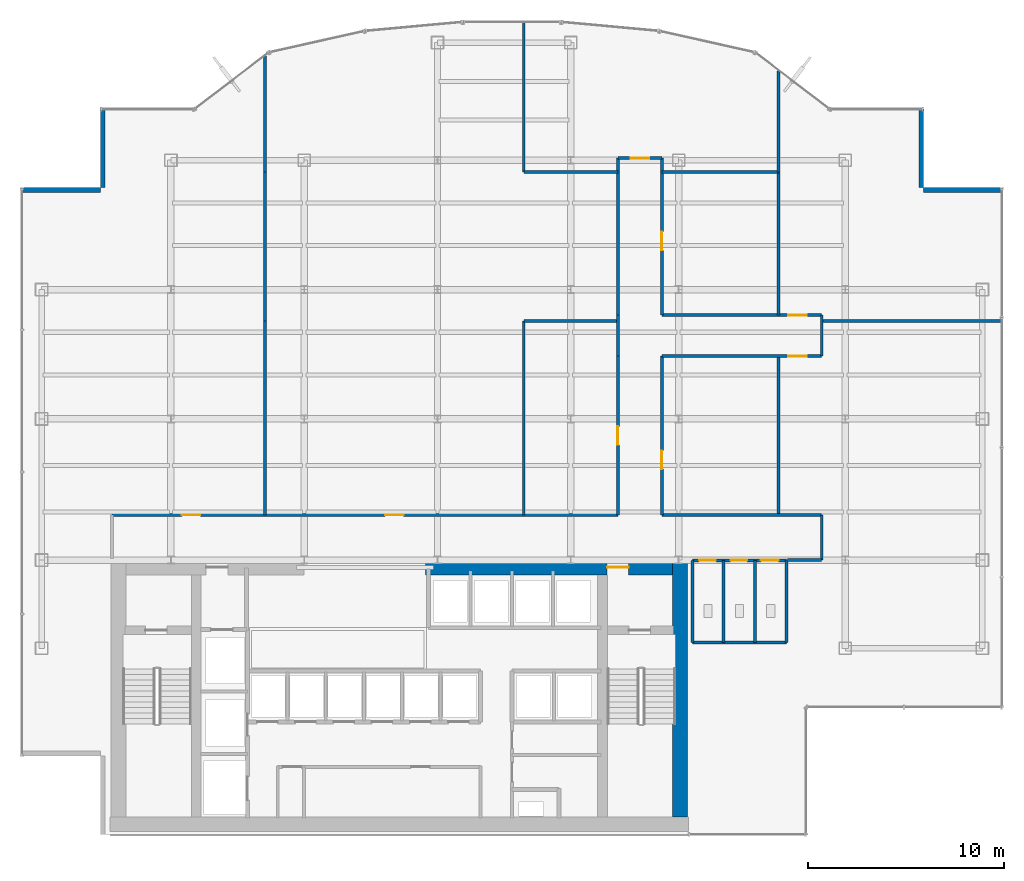
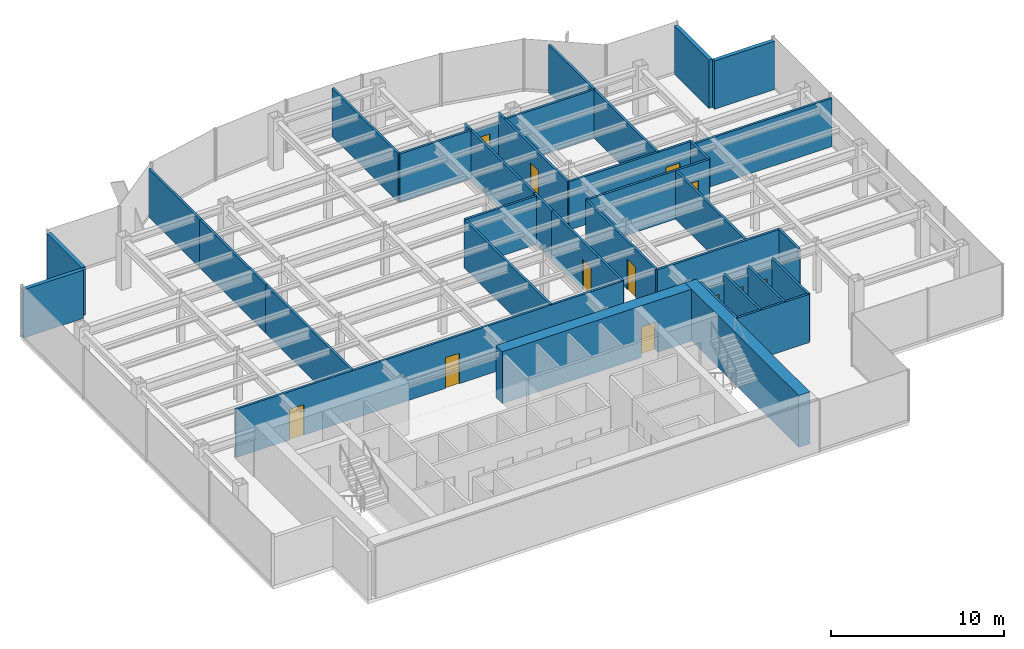
# One storey, part 21 of 25: 37 walls, 12 doors, 12 openings.
"""IFC4 building model written with IfcOpenShell, lengths in metres."""

from ifc_helpers import new_model, si_unit, derived_unit, direction, frame, frame_2d, origin, place, context, subcontext, project, spatial, rectangle, extrude, source, transform, mapped, material, layer, layer_set, type_object, element, fill, save


model = new_model("IFC4")

# Units and contexts
model_context = context("Model", 3, precision=1e-05, world=origin(), true_north=direction((0.0, 1.0)))
body_context = subcontext(model_context, "Body", "Model", "MODEL_VIEW")
ifc_project = project(units=[si_unit("LENGTHUNIT", "METRE"), si_unit("AREAUNIT", "SQUARE_METRE"), si_unit("VOLUMEUNIT", "CUBIC_METRE"), si_unit("PLANEANGLEUNIT", "RADIAN"), si_unit("MASSUNIT", "GRAM", prefix="KILO"), derived_unit("THERMALTRANSMITTANCEUNIT", [(si_unit("POWERUNIT", "WATT"), 1), (si_unit("LENGTHUNIT", "METRE"), -2), (si_unit("THERMODYNAMICTEMPERATUREUNIT", "KELVIN"), -1)])], contexts=[model_context])

# Site, building, storey
site_placement = place(None, origin())
site = spatial("IfcSite", under=ifc_project, at=site_placement, CompositionType="ELEMENT")
building_placement = place(site_placement, origin())
building = spatial("IfcBuilding", under=site, at=building_placement, Name="Skarnbrae Concourse Arena and Tower", CompositionType="ELEMENT")
storey_placement = place(building_placement, frame((0.0, 0.0, 151.550048828125)))
storey = spatial("IfcBuildingStorey", under=building, at=storey_placement, Name="L38", CompositionType="ELEMENT", Elevation=151.550048828125)

# Wall
ifc_material_1 = material(Name="Concrete 60 MPa (C60/75)", Category="concrete")
ifc_layer_1 = layer(ifc_material_1, 0.75)
ifc_layer_set_1 = layer_set([ifc_layer_1], Name="Concrete 60 MPa (C60/75)")
wall_type_1 = type_object("IfcWallType", Name="WALL-CORE-750-C60", PredefinedType="SHEAR", material=ifc_layer_set_1)
shared_shape_1 = source(origin(), body_context, "Body", "SweptSolid", [
    extrude(rectangle(XDim=13.10009765625, YDim=0.75, at=frame_2d((6.550048828125, 0.0))), origin(), (0.0, 0.0, 1.0), 3.64990234375),
])
wall_1_placement = place(storey_placement, frame((33.574951171875, 0.89990234375, 0.0), z_axis=(0.0, 0.0, 1.0), x_axis=(0.0, 1.0, 0.0)))
element("IfcWall", 1, at=wall_1_placement, inside=storey, type_object=wall_type_1, Name="L38 Rear core shear wall CW-E", PredefinedType="SHEAR", context=body_context, shape_type="MappedRepresentation", body=[
    mapped(shared_shape_1, transform((0.0, 0.0, 0.0))),
])

# Wall, opening, door
shared_shape_2 = source(origin(), body_context, "Body", "SweptSolid", [
    extrude(rectangle(XDim=12.599853515625, YDim=0.75, at=frame_2d((6.2998046875, 0.0))), origin(), (0.0, 0.0, 1.0), 3.64990234375),
])
wall_2_placement = place(storey_placement, frame((20.60009765625, 13.625, 0.0), z_axis=(0.0, 0.0, 1.0), x_axis=(1.0, 0.0, 0.0)))
wall_2 = element("IfcWall", 2, at=wall_2_placement, inside=storey, type_object=wall_type_1, Name="L38 Rear core shear wall CW-NE", PredefinedType="SHEAR", context=body_context, shape_type="MappedRepresentation", body=[
    mapped(shared_shape_2, transform((0.0, 0.0, 0.0))),
])
opening_1_placement = place(wall_2_placement, frame((9.25, 0.0, 0.0)))
opening_1 = element("IfcOpeningElement", 3, at=opening_1_placement, cuts=wall_2, Name="Opening DT-03", PredefinedType="OPENING", context=body_context, shape_type="SweptSolid", body=[
    extrude(rectangle(XDim=1.10009765625, YDim=2.14990234375, at=frame_2d((0.550048828125, 1.074951171875))), frame((0.0, 0.385009765625, 0.0), z_axis=(0.0, -1.0, 0.0), x_axis=(1.0, 0.0, 0.0)), (0.0, 0.0, 1.0), 0.77001953125),
])
ifc_material_2 = material(Name="Steel CSA G40.21 350W", Category="steel")
door_type_1 = type_object("IfcDoorType", Name="DOOR-FIRE-1100-90M", OperationType="NOTDEFINED", PredefinedType="DOOR", material=ifc_material_2)
shared_shape_3 = source(origin(), body_context, "Body", "SweptSolid", [
    extrude(rectangle(XDim=1.10009765625, YDim=2.14990234375, at=frame_2d((0.550048828125, 1.074951171875))), frame((0.0, 0.02490234375, 0.0), z_axis=(0.0, -1.0, 0.0), x_axis=(1.0, 0.0, 0.0)), (0.0, 0.0, 1.0), 0.050048828125),
])
door_1_placement = place(opening_1_placement, origin())
door_1 = element("IfcDoor", 4, at=door_1_placement, inside=storey, type_object=door_type_1, Name="D-1183 Stair ST-2 Vestibule Door", OperationType="SINGLE_SWING_LEFT", OverallHeight=2.14990234375, OverallWidth=1.10009765625, PredefinedType="DOOR", context=body_context, shape_type="MappedRepresentation", body=[
    mapped(shared_shape_3, transform((0.0, 0.0, 0.0))),
])
fill(opening_1, door_1)

# Walls
ifc_material_3 = material(Name="Precast concrete 40 MPa (C40/50)", Category="concrete")
ifc_layer_2 = layer(ifc_material_3, 0.25)
ifc_layer_set_2 = layer_set([ifc_layer_2], Name="Precast concrete 40 MPa (C40/50)")
wall_type_2 = type_object("IfcWallType", Name="WALL-EXT-SPANDREL-250", PredefinedType="STANDARD", material=ifc_layer_set_2)
shared_shape_4 = source(origin(), body_context, "Body", "SweptSolid", [
    extrude(rectangle(XDim=4.0, YDim=0.25, at=frame_2d((2.0, 0.0))), origin(), (0.0, 0.0, 1.0), 3.39990234375),
])
for number, where, z_axis, x_axis, name in (
    (5, (50.0, 32.875, 0.0), (0.0, 0.0, 1.0), (-1.0, 0.0, 0.0), "L38 Notched corner insulated return wall 05"),
    (6, (45.875, 33.0, 0.0), (0.0, 0.0, 1.0), (0.0, 1.0, 0.0), "L38 Notched corner insulated return wall 06"),
    (7, (4.125, 37.0, 0.0), (0.0, 0.0, 1.0), (0.0, -1.0, 0.0), "L38 Notched corner insulated return wall 16"),
    (8, (4.0, 32.875, 0.0), (0.0, 0.0, 1.0), (-1.0, 0.0, 0.0), "L38 Notched corner insulated return wall 17"),
):
    element("IfcWall", number, at=place(storey_placement, frame(where, z_axis=z_axis, x_axis=x_axis)), inside=storey, type_object=wall_type_2, Name=name, PredefinedType="STANDARD", context=body_context, shape_type="MappedRepresentation", body=[
        mapped(shared_shape_4, transform((0.0, 0.0, 0.0))),
    ])
ifc_material_4 = material(Name="Gypsum board on cold-formed steel studs", Category="steel")
ifc_layer_3 = layer(ifc_material_4, 0.14990234375)
ifc_layer_set_3 = layer_set([ifc_layer_3], Name="Gypsum board on cold-formed steel studs")
wall_type_3 = type_object("IfcWallType", Name="WALL-PART-150", PredefinedType="PARTITIONING", material=ifc_layer_set_3)
shared_shape_5 = source(origin(), body_context, "Body", "SweptSolid", [
    extrude(rectangle(XDim=4.800048828125, YDim=0.14990234375, at=frame_2d((2.39990234375, 0.0))), origin(), (0.0, 0.0, 1.0), 3.39990234375),
])
wall_3_placement = place(storey_placement, frame((34.199951171875, 9.800048828125, 0.0), z_axis=(0.0, 0.0, 1.0), x_axis=(1.0, 0.0, 0.0)))
element("IfcWall", 9, at=wall_3_placement, inside=storey, type_object=wall_type_3, Name="L38 Interior partition wall W-L38-WC-S", PredefinedType="PARTITIONING", context=body_context, shape_type="MappedRepresentation", body=[
    mapped(shared_shape_5, transform((0.0, 0.0, 0.0))),
])
shared_shape_6 = source(origin(), body_context, "Body", "SweptSolid", [
    extrude(rectangle(XDim=4.179931640625, YDim=0.14990234375, at=frame_2d((2.08984375, 0.0))), origin(), (0.0, 0.0, 1.0), 3.39990234375),
])
for number, where, z_axis, x_axis, name in (
    (10, (39.0, 9.800048828125, 0.0), (0.0, 0.0, 1.0), (0.0, 1.0, 0.0), "L38 Interior partition wall W-L38-WC-E"),
    (11, (34.199951171875, 9.800048828125, 0.0), (0.0, 0.0, 1.0), (0.0, 1.0, 0.0), "L38 Interior partition wall W-L38-WC-W"),
    (12, (35.800048828125, 9.800048828125, 0.0), (0.0, 0.0, 1.0), (0.0, 1.0, 0.0), "L38 Interior partition wall W-L38-WC-D1"),
    (13, (37.39990234375, 9.800048828125, 0.0), (0.0, 0.0, 1.0), (0.0, 1.0, 0.0), "L38 Interior partition wall W-L38-WC-D2"),
):
    element("IfcWall", number, at=place(storey_placement, frame(where, z_axis=z_axis, x_axis=x_axis)), inside=storey, type_object=wall_type_3, Name=name, PredefinedType="PARTITIONING", context=body_context, shape_type="MappedRepresentation", body=[
        mapped(shared_shape_6, transform((0.0, 0.0, 0.0))),
    ])
ifc_layer_4 = layer(ifc_material_4, 0.14990234375)
ifc_layer_set_4 = layer_set([ifc_layer_4], Name="Gypsum board on cold-formed steel studs")
wall_type_4 = type_object("IfcWallType", Name="WALL-PART-150-1HR", PredefinedType="PARTITIONING", material=ifc_layer_set_4)
shared_shape_7 = source(origin(), body_context, "Body", "SweptSolid", [
    extrude(rectangle(XDim=2.10009765625, YDim=0.14990234375, at=frame_2d((1.050048828125, 0.0))), origin(), (0.0, 0.0, 1.0), 3.39990234375),
])
for number, where, z_axis, x_axis, name in (
    (14, (30.39990234375, 24.39990234375, 0.0), (0.0, 0.0, 1.0), (0.0, 1.0, 0.0), "L38 Interior partition wall W-L38-COR-04"),
    (15, (40.800048828125, 26.5, 0.0), (0.0, 0.0, 1.0), (0.0, -1.0, 0.0), "L38 Interior partition wall W-L38-COR-09"),
):
    element("IfcWall", number, at=place(storey_placement, frame(where, z_axis=z_axis, x_axis=x_axis)), inside=storey, type_object=wall_type_4, Name=name, PredefinedType="PARTITIONING", context=body_context, shape_type="MappedRepresentation", body=[
        mapped(shared_shape_7, transform((0.0, 0.0, 0.0))),
    ])
shared_shape_8 = source(origin(), body_context, "Body", "SweptSolid", [
    extrude(rectangle(XDim=2.300048828125, YDim=0.14990234375, at=frame_2d((1.14990234375, 0.0))), origin(), (0.0, 0.0, 1.0), 3.39990234375),
])
wall_4_placement = place(storey_placement, frame((40.800048828125, 16.300048828125, 0.0), z_axis=(0.0, 0.0, 1.0), x_axis=(0.0, -1.0, 0.0)))
element("IfcWall", 16, at=wall_4_placement, inside=storey, type_object=wall_type_4, Name="L38 Interior partition wall W-L38-COR-13", PredefinedType="PARTITIONING", context=body_context, shape_type="MappedRepresentation", body=[
    mapped(shared_shape_8, transform((0.0, 0.0, 0.0))),
])

# Wall, openings, doors
shared_shape_9 = source(origin(), body_context, "Body", "SweptSolid", [
    extrude(rectangle(XDim=25.7998046875, YDim=0.14990234375, at=frame_2d((12.89990234375, 0.0))), origin(), (0.0, 0.0, 1.0), 3.39990234375),
])
wall_5_placement = place(storey_placement, frame((4.60009765625, 16.300048828125, 0.0), z_axis=(0.0, 0.0, 1.0), x_axis=(1.0, 0.0, 0.0)))
wall_5 = element("IfcWall", 17, at=wall_5_placement, inside=storey, type_object=wall_type_4, Name="L38 Interior partition wall W-L38-COR-02", PredefinedType="PARTITIONING", context=body_context, shape_type="MappedRepresentation", body=[
    mapped(shared_shape_9, transform((0.0, 0.0, 0.0))),
])
opening_2_placement = place(wall_5_placement, frame((3.554931640625, 0.0, 0.0)))
opening_2 = element("IfcOpeningElement", 18, at=opening_2_placement, cuts=wall_5, Name="Opening DT-04", PredefinedType="OPENING", context=body_context, shape_type="SweptSolid", body=[
    extrude(rectangle(XDim=0.949951171875, YDim=2.14990234375, at=frame_2d((0.47509765625, 1.074951171875))), frame((0.0, 0.0849609375, 0.0), z_axis=(0.0, -1.0, 0.0), x_axis=(1.0, 0.0, 0.0)), (0.0, 0.0, 1.0), 0.169921875),
])
opening_3_placement = place(wall_5_placement, frame((13.925048828125, 0.0, 0.0)))
opening_3 = element("IfcOpeningElement", 19, at=opening_3_placement, cuts=wall_5, Name="Opening DT-04", PredefinedType="OPENING", context=body_context, shape_type="SweptSolid", body=[
    extrude(rectangle(XDim=0.949951171875, YDim=2.14990234375, at=frame_2d((0.47509765625, 1.074951171875))), frame((0.0, 0.0849609375, 0.0), z_axis=(0.0, -1.0, 0.0), x_axis=(1.0, 0.0, 0.0)), (0.0, 0.0, 1.0), 0.169921875),
])
door_type_2 = type_object("IfcDoorType", Name="DOOR-INT-950-45M", OperationType="NOTDEFINED", PredefinedType="DOOR", material=ifc_material_2)
shared_shape_10 = source(origin(), body_context, "Body", "SweptSolid", [
    extrude(rectangle(XDim=0.949951171875, YDim=2.14990234375, at=frame_2d((0.47509765625, 1.074951171875))), frame((0.0, 0.02490234375, 0.0), z_axis=(0.0, -1.0, 0.0), x_axis=(1.0, 0.0, 0.0)), (0.0, 0.0, 1.0), 0.050048828125),
])
door_2_placement = place(opening_2_placement, origin())
door_2 = element("IfcDoor", 20, at=door_2_placement, inside=storey, type_object=door_type_2, Name="D-1200 L38 Suite Door 01", OperationType="SINGLE_SWING_RIGHT", OverallHeight=2.14990234375, OverallWidth=0.949951171875, PredefinedType="DOOR", context=body_context, shape_type="MappedRepresentation", body=[
    mapped(shared_shape_10, transform((0.0, 0.0, 0.0))),
])
fill(opening_2, door_2)
door_3_placement = place(opening_3_placement, origin())
door_3 = element("IfcDoor", 21, at=door_3_placement, inside=storey, type_object=door_type_2, Name="D-1201 L38 Suite Door 02", OperationType="SINGLE_SWING_LEFT", OverallHeight=2.14990234375, OverallWidth=0.949951171875, PredefinedType="DOOR", context=body_context, shape_type="MappedRepresentation", body=[
    mapped(shared_shape_10, transform((0.0, 0.0, 0.0))),
])
fill(opening_3, door_3)

# Wall, opening, door
shared_shape_11 = source(origin(), body_context, "Body", "SweptSolid", [
    extrude(rectangle(XDim=8.099853515625, YDim=0.14990234375, at=frame_2d((4.0498046875, 0.0))), origin(), (0.0, 0.0, 1.0), 3.39990234375),
])
wall_6_placement = place(storey_placement, frame((30.39990234375, 16.300048828125, 0.0), z_axis=(0.0, 0.0, 1.0), x_axis=(0.0, 1.0, 0.0)))
wall_6 = element("IfcWall", 22, at=wall_6_placement, inside=storey, type_object=wall_type_4, Name="L38 Interior partition wall W-L38-COR-03", PredefinedType="PARTITIONING", context=body_context, shape_type="MappedRepresentation", body=[
    mapped(shared_shape_11, transform((0.0, 0.0, 0.0))),
])
opening_4_placement = place(wall_6_placement, frame((3.574951171875, 0.0, 0.0)))
opening_4 = element("IfcOpeningElement", 23, at=opening_4_placement, cuts=wall_6, Name="Opening DT-04", PredefinedType="OPENING", context=body_context, shape_type="SweptSolid", body=[
    extrude(rectangle(XDim=0.949951171875, YDim=2.14990234375, at=frame_2d((0.47509765625, 1.074951171875))), frame((0.0, 0.0849609375, 0.0), z_axis=(0.0, -1.0, 0.0), x_axis=(1.0, 0.0, 0.0)), (0.0, 0.0, 1.0), 0.169921875),
])
door_4_placement = place(opening_4_placement, origin())
door_4 = element("IfcDoor", 24, at=door_4_placement, inside=storey, type_object=door_type_2, Name="D-1202 L38 Suite Door 03", OperationType="SINGLE_SWING_RIGHT", OverallHeight=2.14990234375, OverallWidth=0.949951171875, PredefinedType="DOOR", context=body_context, shape_type="MappedRepresentation", body=[
    mapped(shared_shape_10, transform((0.0, 0.0, 0.0))),
])
fill(opening_4, door_4)

wall_7_placement = place(storey_placement, frame((32.64990234375, 24.39990234375, 0.0), z_axis=(0.0, 0.0, 1.0), x_axis=(0.0, -1.0, 0.0)))
wall_7 = element("IfcWall", 25, at=wall_7_placement, inside=storey, type_object=wall_type_4, Name="L38 Interior partition wall W-L38-COR-11", PredefinedType="PARTITIONING", context=body_context, shape_type="MappedRepresentation", body=[
    mapped(shared_shape_11, transform((0.0, 0.0, 0.0))),
])
opening_5_placement = place(wall_7_placement, frame((4.81201171875, 0.0, 0.0)))
opening_5 = element("IfcOpeningElement", 26, at=opening_5_placement, cuts=wall_7, Name="Opening DT-04", PredefinedType="OPENING", context=body_context, shape_type="SweptSolid", body=[
    extrude(rectangle(XDim=0.949951171875, YDim=2.14990234375, at=frame_2d((0.47509765625, 1.074951171875))), frame((0.0, 0.0849609375, 0.0), z_axis=(0.0, -1.0, 0.0), x_axis=(1.0, 0.0, 0.0)), (0.0, 0.0, 1.0), 0.169921875),
])
door_5_placement = place(opening_5_placement, origin())
door_5 = element("IfcDoor", 27, at=door_5_placement, inside=storey, type_object=door_type_2, Name="D-1204 L38 Suite Door 05", OperationType="SINGLE_SWING_RIGHT", OverallHeight=2.14990234375, OverallWidth=0.949951171875, PredefinedType="DOOR", context=body_context, shape_type="MappedRepresentation", body=[
    mapped(shared_shape_10, transform((0.0, 0.0, 0.0))),
])
fill(opening_5, door_5)

# Walls
wall_8_placement = place(storey_placement, frame((38.60009765625, 24.39990234375, 0.0), z_axis=(0.0, 0.0, 1.0), x_axis=(0.0, -1.0, 0.0)))
element("IfcWall", 28, at=wall_8_placement, inside=storey, type_object=wall_type_3, Name="L38 Interior partition wall W-L38-DEM-23", PredefinedType="PARTITIONING", context=body_context, shape_type="MappedRepresentation", body=[
    mapped(shared_shape_11, transform((0.0, 0.0, 0.0))),
])
shared_shape_12 = source(origin(), body_context, "Body", "SweptSolid", [
    extrude(rectangle(XDim=8.0, YDim=0.14990234375, at=frame_2d((4.0, 0.0))), origin(), (0.0, 0.0, 1.0), 3.39990234375),
])
wall_9_placement = place(storey_placement, frame((30.39990234375, 26.5, 0.0), z_axis=(0.0, 0.0, 1.0), x_axis=(0.0, 1.0, 0.0)))
element("IfcWall", 29, at=wall_9_placement, inside=storey, type_object=wall_type_4, Name="L38 Interior partition wall W-L38-COR-05", PredefinedType="PARTITIONING", context=body_context, shape_type="MappedRepresentation", body=[
    mapped(shared_shape_12, transform((0.0, 0.0, 0.0))),
])

# Wall, opening, door
wall_10_placement = place(storey_placement, frame((32.64990234375, 34.5, 0.0), z_axis=(0.0, 0.0, 1.0), x_axis=(0.0, -1.0, 0.0)))
wall_10 = element("IfcWall", 30, at=wall_10_placement, inside=storey, type_object=wall_type_4, Name="L38 Interior partition wall W-L38-COR-07", PredefinedType="PARTITIONING", context=body_context, shape_type="MappedRepresentation", body=[
    mapped(shared_shape_12, transform((0.0, 0.0, 0.0))),
])
opening_6_placement = place(wall_10_placement, frame((3.7451171875, 0.0, 0.0)))
opening_6 = element("IfcOpeningElement", 31, at=opening_6_placement, cuts=wall_10, Name="Opening DT-04", PredefinedType="OPENING", context=body_context, shape_type="SweptSolid", body=[
    extrude(rectangle(XDim=0.949951171875, YDim=2.14990234375, at=frame_2d((0.47509765625, 1.074951171875))), frame((0.0, 0.0849609375, 0.0), z_axis=(0.0, -1.0, 0.0), x_axis=(1.0, 0.0, 0.0)), (0.0, 0.0, 1.0), 0.169921875),
])
door_6_placement = place(opening_6_placement, origin())
door_6 = element("IfcDoor", 32, at=door_6_placement, inside=storey, type_object=door_type_2, Name="D-1205 L38 Suite Door 06", OperationType="SINGLE_SWING_LEFT", OverallHeight=2.14990234375, OverallWidth=0.949951171875, PredefinedType="DOOR", context=body_context, shape_type="MappedRepresentation", body=[
    mapped(shared_shape_10, transform((0.0, 0.0, 0.0))),
])
fill(opening_6, door_6)

shared_shape_13 = source(origin(), body_context, "Body", "SweptSolid", [
    extrude(rectangle(XDim=8.150146484375, YDim=0.14990234375, at=frame_2d((4.0751953125, 0.0))), origin(), (0.0, 0.0, 1.0), 3.39990234375),
])
wall_11_placement = place(storey_placement, frame((32.64990234375, 26.5, 0.0), z_axis=(0.0, 0.0, 1.0), x_axis=(1.0, 0.0, 0.0)))
wall_11 = element("IfcWall", 33, at=wall_11_placement, inside=storey, type_object=wall_type_4, Name="L38 Interior partition wall W-L38-COR-08", PredefinedType="PARTITIONING", context=body_context, shape_type="MappedRepresentation", body=[
    mapped(shared_shape_13, transform((0.0, 0.0, 0.0))),
])
opening_7_placement = place(wall_11_placement, frame((6.445068359375, 0.0, 0.0)))
opening_7 = element("IfcOpeningElement", 34, at=opening_7_placement, cuts=wall_11, Name="Opening DT-04", PredefinedType="OPENING", context=body_context, shape_type="SweptSolid", body=[
    extrude(rectangle(XDim=0.949951171875, YDim=2.14990234375, at=frame_2d((0.47509765625, 1.074951171875))), frame((0.0, 0.0849609375, 0.0), z_axis=(0.0, -1.0, 0.0), x_axis=(1.0, 0.0, 0.0)), (0.0, 0.0, 1.0), 0.169921875),
])
door_7_placement = place(opening_7_placement, origin())
door_7 = element("IfcDoor", 35, at=door_7_placement, inside=storey, type_object=door_type_2, Name="D-1207 L38 Suite Door 08", OperationType="SINGLE_SWING_LEFT", OverallHeight=2.14990234375, OverallWidth=0.949951171875, PredefinedType="DOOR", context=body_context, shape_type="MappedRepresentation", body=[
    mapped(shared_shape_10, transform((0.0, 0.0, 0.0))),
])
fill(opening_7, door_7)

wall_12_placement = place(storey_placement, frame((40.800048828125, 24.39990234375, 0.0), z_axis=(0.0, 0.0, 1.0), x_axis=(-1.0, 0.0, 0.0)))
wall_12 = element("IfcWall", 36, at=wall_12_placement, inside=storey, type_object=wall_type_4, Name="L38 Interior partition wall W-L38-COR-10", PredefinedType="PARTITIONING", context=body_context, shape_type="MappedRepresentation", body=[
    mapped(shared_shape_13, transform((0.0, 0.0, 0.0))),
])
opening_8_placement = place(wall_12_placement, frame((0.7548828125, 0.0, 0.0)))
opening_8 = element("IfcOpeningElement", 37, at=opening_8_placement, cuts=wall_12, Name="Opening DT-04", PredefinedType="OPENING", context=body_context, shape_type="SweptSolid", body=[
    extrude(rectangle(XDim=0.949951171875, YDim=2.14990234375, at=frame_2d((0.47509765625, 1.074951171875))), frame((0.0, 0.0849609375, 0.0), z_axis=(0.0, -1.0, 0.0), x_axis=(1.0, 0.0, 0.0)), (0.0, 0.0, 1.0), 0.169921875),
])
door_8_placement = place(opening_8_placement, origin())
door_8 = element("IfcDoor", 38, at=door_8_placement, inside=storey, type_object=door_type_2, Name="D-1206 L38 Suite Door 07", OperationType="SINGLE_SWING_RIGHT", OverallHeight=2.14990234375, OverallWidth=0.949951171875, PredefinedType="DOOR", context=body_context, shape_type="MappedRepresentation", body=[
    mapped(shared_shape_10, transform((0.0, 0.0, 0.0))),
])
fill(opening_8, door_8)

# Wall
wall_13_placement = place(storey_placement, frame((32.64990234375, 16.300048828125, 0.0), z_axis=(0.0, 0.0, 1.0), x_axis=(1.0, 0.0, 0.0)))
element("IfcWall", 39, at=wall_13_placement, inside=storey, type_object=wall_type_4, Name="L38 Interior partition wall W-L38-COR-12", PredefinedType="PARTITIONING", context=body_context, shape_type="MappedRepresentation", body=[
    mapped(shared_shape_13, transform((0.0, 0.0, 0.0))),
])

# Wall, openings, doors
shared_shape_14 = source(origin(), body_context, "Body", "SweptSolid", [
    extrude(rectangle(XDim=4.800048828125, YDim=0.14990234375, at=frame_2d((2.39990234375, 0.0))), origin(), (0.0, 0.0, 1.0), 2.760009765625),
])
wall_14_placement = place(storey_placement, frame((34.199951171875, 13.97998046875, 0.0), z_axis=(0.0, 0.0, 1.0), x_axis=(1.0, 0.0, 0.0)))
wall_14 = element("IfcWall", 40, at=wall_14_placement, inside=storey, type_object=wall_type_3, Name="L38 Interior partition wall W-L38-WC-N", PredefinedType="PARTITIONING", context=body_context, shape_type="MappedRepresentation", body=[
    mapped(shared_shape_14, transform((0.0, 0.0, 0.0))),
])
opening_9_placement = place(wall_14_placement, frame((0.35009765625, 0.0, 0.0)))
opening_9 = element("IfcOpeningElement", 41, at=opening_9_placement, cuts=wall_14, Name="Opening DT-06", PredefinedType="OPENING", context=body_context, shape_type="SweptSolid", body=[
    extrude(rectangle(XDim=0.85009765625, YDim=2.10009765625, at=frame_2d((0.425048828125, 1.050048828125))), frame((0.0, 0.0849609375, 0.0), z_axis=(0.0, -1.0, 0.0), x_axis=(1.0, 0.0, 0.0)), (0.0, 0.0, 1.0), 0.169921875),
])
opening_10_placement = place(wall_14_placement, frame((1.949951171875, 0.0, 0.0)))
opening_10 = element("IfcOpeningElement", 42, at=opening_10_placement, cuts=wall_14, Name="Opening DT-06", PredefinedType="OPENING", context=body_context, shape_type="SweptSolid", body=[
    extrude(rectangle(XDim=0.85009765625, YDim=2.10009765625, at=frame_2d((0.425048828125, 1.050048828125))), frame((0.0, 0.0849609375, 0.0), z_axis=(0.0, -1.0, 0.0), x_axis=(1.0, 0.0, 0.0)), (0.0, 0.0, 1.0), 0.169921875),
])
opening_11_placement = place(wall_14_placement, frame((3.5, 0.0, 0.0)))
opening_11 = element("IfcOpeningElement", 43, at=opening_11_placement, cuts=wall_14, Name="Opening DT-05", PredefinedType="OPENING", context=body_context, shape_type="SweptSolid", body=[
    extrude(rectangle(XDim=0.89990234375, YDim=2.10009765625, at=frame_2d((0.449951171875, 1.050048828125))), frame((0.0, 0.0849609375, 0.0), z_axis=(0.0, -1.0, 0.0), x_axis=(1.0, 0.0, 0.0)), (0.0, 0.0, 1.0), 0.169921875),
])
ifc_material_5 = material(Name="Architectural oak veneer timber leaf", Category="wood")
door_type_3 = type_object("IfcDoorType", Name="DOOR-INT-850", OperationType="NOTDEFINED", PredefinedType="DOOR", material=ifc_material_5)
shared_shape_15 = source(origin(), body_context, "Body", "SweptSolid", [
    extrude(rectangle(XDim=0.85009765625, YDim=2.10009765625, at=frame_2d((0.425048828125, 1.050048828125))), frame((0.0, 0.02490234375, 0.0), z_axis=(0.0, -1.0, 0.0), x_axis=(1.0, 0.0, 0.0)), (0.0, 0.0, 1.0), 0.050048828125),
])
door_9_placement = place(opening_9_placement, frame((0.85009765625, 0.0, 0.0), z_axis=(0.0, 0.0, 1.0), x_axis=(-1.0, 0.0, 0.0)))
door_9 = element("IfcDoor", 44, at=door_9_placement, inside=storey, type_object=door_type_3, Name="D-1197 Male Washroom Door", OperationType="SINGLE_SWING_LEFT", OverallHeight=2.10009765625, OverallWidth=0.85009765625, PredefinedType="DOOR", context=body_context, shape_type="MappedRepresentation", body=[
    mapped(shared_shape_15, transform((0.0, 0.0, 0.0))),
])
fill(opening_9, door_9)
door_10_placement = place(opening_10_placement, frame((0.85009765625, 0.0, 0.0), z_axis=(0.0, 0.0, 1.0), x_axis=(-1.0, 0.0, 0.0)))
door_10 = element("IfcDoor", 45, at=door_10_placement, inside=storey, type_object=door_type_3, Name="D-1198 Female Washroom Door", OperationType="SINGLE_SWING_RIGHT", OverallHeight=2.10009765625, OverallWidth=0.85009765625, PredefinedType="DOOR", context=body_context, shape_type="MappedRepresentation", body=[
    mapped(shared_shape_15, transform((0.0, 0.0, 0.0))),
])
fill(opening_10, door_10)
door_type_4 = type_object("IfcDoorType", Name="DOOR-INT-900", OperationType="NOTDEFINED", PredefinedType="DOOR", material=ifc_material_5)
shared_shape_16 = source(origin(), body_context, "Body", "SweptSolid", [
    extrude(rectangle(XDim=0.89990234375, YDim=2.10009765625, at=frame_2d((0.449951171875, 1.050048828125))), frame((0.0, 0.02490234375, 0.0), z_axis=(0.0, -1.0, 0.0), x_axis=(1.0, 0.0, 0.0)), (0.0, 0.0, 1.0), 0.050048828125),
])
door_11_placement = place(opening_11_placement, frame((0.89990234375, 0.0, 0.0), z_axis=(0.0, 0.0, 1.0), x_axis=(-1.0, 0.0, 0.0)))
door_11 = element("IfcDoor", 46, at=door_11_placement, inside=storey, type_object=door_type_4, Name="D-1199 Accessible WC Door", OperationType="SINGLE_SWING_LEFT", OverallHeight=2.10009765625, OverallWidth=0.89990234375, PredefinedType="DOOR", context=body_context, shape_type="MappedRepresentation", body=[
    mapped(shared_shape_16, transform((0.0, 0.0, 0.0))),
])
fill(opening_11, door_11)

# Wall
shared_shape_17 = source(origin(), body_context, "Body", "SweptSolid", [
    extrude(rectangle(XDim=1.75, YDim=0.14990234375, at=frame_2d((0.875, 0.0))), origin(), (0.0, 0.0, 1.0), 2.760009765625),
])
wall_15_placement = place(storey_placement, frame((40.800048828125, 14.0, 0.0), z_axis=(0.0, 0.0, 1.0), x_axis=(-1.0, 0.0, 0.0)))
element("IfcWall", 47, at=wall_15_placement, inside=storey, type_object=wall_type_4, Name="L38 Interior partition wall W-L38-COR-14", PredefinedType="PARTITIONING", context=body_context, shape_type="MappedRepresentation", body=[
    mapped(shared_shape_17, transform((0.0, 0.0, 0.0))),
])

# Wall, opening, door
shared_shape_18 = source(origin(), body_context, "Body", "SweptSolid", [
    extrude(rectangle(XDim=2.25, YDim=0.14990234375, at=frame_2d((1.125, 0.0))), origin(), (0.0, 0.0, 1.0), 2.760009765625),
])
wall_16_placement = place(storey_placement, frame((30.39990234375, 34.5, 0.0), z_axis=(0.0, 0.0, 1.0), x_axis=(1.0, 0.0, 0.0)))
wall_16 = element("IfcWall", 48, at=wall_16_placement, inside=storey, type_object=wall_type_4, Name="L38 Interior partition wall W-L38-COR-06", PredefinedType="PARTITIONING", context=body_context, shape_type="MappedRepresentation", body=[
    mapped(shared_shape_18, transform((0.0, 0.0, 0.0))),
])
opening_12_placement = place(wall_16_placement, frame((0.64990234375, 0.0, 0.0)))
opening_12 = element("IfcOpeningElement", 49, at=opening_12_placement, cuts=wall_16, Name="Opening DT-04", PredefinedType="OPENING", context=body_context, shape_type="SweptSolid", body=[
    extrude(rectangle(XDim=0.949951171875, YDim=2.14990234375, at=frame_2d((0.47509765625, 1.074951171875))), frame((0.0, 0.0849609375, 0.0), z_axis=(0.0, -1.0, 0.0), x_axis=(1.0, 0.0, 0.0)), (0.0, 0.0, 1.0), 0.169921875),
])
door_12_placement = place(opening_12_placement, origin())
door_12 = element("IfcDoor", 50, at=door_12_placement, inside=storey, type_object=door_type_2, Name="D-1203 L38 Suite Door 04", OperationType="SINGLE_SWING_LEFT", OverallHeight=2.14990234375, OverallWidth=0.949951171875, PredefinedType="DOOR", context=body_context, shape_type="MappedRepresentation", body=[
    mapped(shared_shape_10, transform((0.0, 0.0, 0.0))),
])
fill(opening_12, door_12)

# Walls
shared_shape_19 = source(origin(), body_context, "Body", "SweptSolid", [
    extrude(rectangle(XDim=5.922119140625, YDim=0.14990234375, at=frame_2d((2.9609375, 0.0))), origin(), (0.0, 0.0, 1.0), 3.39990234375),
])
wall_17_placement = place(storey_placement, frame((12.39990234375, 39.72216796875, 0.0), z_axis=(0.0, 0.0, 1.0), x_axis=(0.0, -1.0, 0.0)))
element("IfcWall", 51, at=wall_17_placement, inside=storey, type_object=wall_type_3, Name="L38 Interior partition wall W-L38-DEM-15", PredefinedType="PARTITIONING", context=body_context, shape_type="MappedRepresentation", body=[
    mapped(shared_shape_19, transform((0.0, 0.0, 0.0))),
])
shared_shape_20 = source(origin(), body_context, "Body", "SweptSolid", [
    extrude(rectangle(XDim=7.60009765625, YDim=0.14990234375, at=frame_2d((3.800048828125, 0.0))), origin(), (0.0, 0.0, 1.0), 3.39990234375),
])
wall_18_placement = place(storey_placement, frame((12.39990234375, 33.800048828125, 0.0), z_axis=(0.0, 0.0, 1.0), x_axis=(0.0, -1.0, 0.0)))
element("IfcWall", 52, at=wall_18_placement, inside=storey, type_object=wall_type_3, Name="L38 Interior partition wall W-L38-DEM-16", PredefinedType="PARTITIONING", context=body_context, shape_type="MappedRepresentation", body=[
    mapped(shared_shape_20, transform((0.0, 0.0, 0.0))),
])
shared_shape_21 = source(origin(), body_context, "Body", "SweptSolid", [
    extrude(rectangle(XDim=9.89990234375, YDim=0.14990234375, at=frame_2d((4.949951171875, 0.0))), origin(), (0.0, 0.0, 1.0), 3.39990234375),
])
for number, where, z_axis, x_axis, name in (
    (53, (12.39990234375, 26.199951171875, 0.0), (0.0, 0.0, 1.0), (0.0, -1.0, 0.0), "L38 Interior partition wall W-L38-DEM-17"),
    (54, (25.60009765625, 26.199951171875, 0.0), (0.0, 0.0, 1.0), (0.0, -1.0, 0.0), "L38 Interior partition wall W-L38-DEM-19"),
):
    element("IfcWall", number, at=place(storey_placement, frame(where, z_axis=z_axis, x_axis=x_axis)), inside=storey, type_object=wall_type_3, Name=name, PredefinedType="PARTITIONING", context=body_context, shape_type="MappedRepresentation", body=[
        mapped(shared_shape_21, transform((0.0, 0.0, 0.0))),
    ])
shared_shape_22 = source(origin(), body_context, "Body", "SweptSolid", [
    extrude(rectangle(XDim=4.7998046875, YDim=0.14990234375, at=frame_2d((2.39990234375, 0.0))), origin(), (0.0, 0.0, 1.0), 3.39990234375),
])
for number, where, z_axis, x_axis, name in (
    (55, (30.39990234375, 26.199951171875, 0.0), (0.0, 0.0, 1.0), (-1.0, 0.0, 0.0), "L38 Interior partition wall W-L38-DEM-18"),
    (56, (25.60009765625, 33.800048828125, 0.0), (0.0, 0.0, 1.0), (1.0, 0.0, 0.0), "L38 Interior partition wall W-L38-DEM-21"),
):
    element("IfcWall", number, at=place(storey_placement, frame(where, z_axis=z_axis, x_axis=x_axis)), inside=storey, type_object=wall_type_3, Name=name, PredefinedType="PARTITIONING", context=body_context, shape_type="MappedRepresentation", body=[
        mapped(shared_shape_22, transform((0.0, 0.0, 0.0))),
    ])
shared_shape_23 = source(origin(), body_context, "Body", "SweptSolid", [
    extrude(rectangle(XDim=7.62548828125, YDim=0.14990234375, at=frame_2d((3.812744140625, 0.0))), origin(), (0.0, 0.0, 1.0), 3.39990234375),
])
wall_19_placement = place(storey_placement, frame((25.60009765625, 41.425537109375, 0.0), z_axis=(0.0, 0.0, 1.0), x_axis=(0.0, -1.0, 0.0)))
element("IfcWall", 57, at=wall_19_placement, inside=storey, type_object=wall_type_3, Name="L38 Interior partition wall W-L38-DEM-20", PredefinedType="PARTITIONING", context=body_context, shape_type="MappedRepresentation", body=[
    mapped(shared_shape_23, transform((0.0, 0.0, 0.0))),
])
shared_shape_24 = source(origin(), body_context, "Body", "SweptSolid", [
    extrude(rectangle(XDim=5.9501953125, YDim=0.14990234375, at=frame_2d((2.97509765625, 0.0))), origin(), (0.0, 0.0, 1.0), 3.39990234375),
])
wall_20_placement = place(storey_placement, frame((38.60009765625, 33.800048828125, 0.0), z_axis=(0.0, 0.0, 1.0), x_axis=(-1.0, 0.0, 0.0)))
element("IfcWall", 58, at=wall_20_placement, inside=storey, type_object=wall_type_3, Name="L38 Interior partition wall W-L38-DEM-22", PredefinedType="PARTITIONING", context=body_context, shape_type="MappedRepresentation", body=[
    mapped(shared_shape_24, transform((0.0, 0.0, 0.0))),
])
shared_shape_25 = source(origin(), body_context, "Body", "SweptSolid", [
    extrude(rectangle(XDim=7.300048828125, YDim=0.14990234375, at=frame_2d((3.64990234375, 0.0))), origin(), (0.0, 0.0, 1.0), 3.39990234375),
])
wall_21_placement = place(storey_placement, frame((38.60009765625, 33.800048828125, 0.0), z_axis=(0.0, 0.0, 1.0), x_axis=(0.0, -1.0, 0.0)))
element("IfcWall", 59, at=wall_21_placement, inside=storey, type_object=wall_type_3, Name="L38 Interior partition wall W-L38-DEM-24", PredefinedType="PARTITIONING", context=body_context, shape_type="MappedRepresentation", body=[
    mapped(shared_shape_25, transform((0.0, 0.0, 0.0))),
])
shared_shape_26 = source(origin(), body_context, "Body", "SweptSolid", [
    extrude(rectangle(XDim=5.158935546875, YDim=0.14990234375, at=frame_2d((2.57958984375, 0.0))), origin(), (0.0, 0.0, 1.0), 3.39990234375),
])
wall_22_placement = place(storey_placement, frame((38.60009765625, 38.958984375, 0.0), z_axis=(0.0, 0.0, 1.0), x_axis=(0.0, -1.0, 0.0)))
element("IfcWall", 60, at=wall_22_placement, inside=storey, type_object=wall_type_3, Name="L38 Interior partition wall W-L38-DEM-25", PredefinedType="PARTITIONING", context=body_context, shape_type="MappedRepresentation", body=[
    mapped(shared_shape_26, transform((0.0, 0.0, 0.0))),
])
shared_shape_27 = source(origin(), body_context, "Body", "SweptSolid", [
    extrude(rectangle(XDim=9.179931640625, YDim=0.14990234375, at=frame_2d((4.58984375, 0.0))), origin(), (0.0, 0.0, 1.0), 3.39990234375),
])
wall_23_placement = place(storey_placement, frame((40.800048828125, 26.199951171875, 0.0), z_axis=(0.0, 0.0, 1.0), x_axis=(1.0, 0.0, 0.0)))
element("IfcWall", 61, at=wall_23_placement, inside=storey, type_object=wall_type_3, Name="L38 Interior partition wall W-L38-DEM-26", PredefinedType="PARTITIONING", context=body_context, shape_type="MappedRepresentation", body=[
    mapped(shared_shape_27, transform((0.0, 0.0, 0.0))),
])

save(model, "model.ifc")
